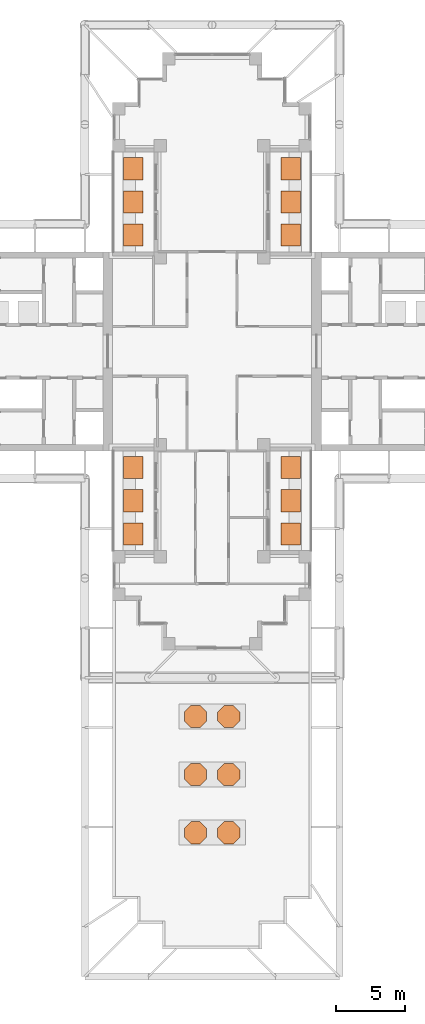
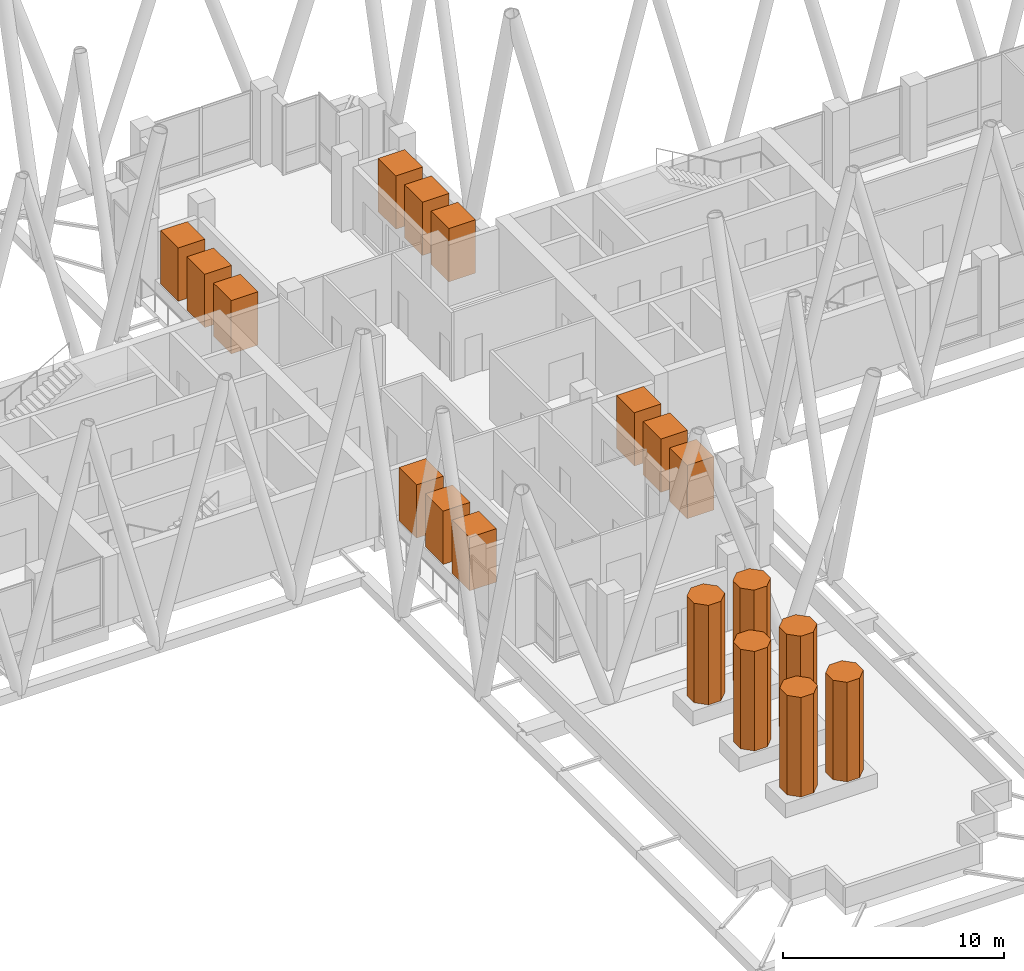
# One storey, part 22 of 22: 18 geographic elements.
"""IFC4 building model written with IfcOpenShell, lengths in metres."""

from ifc_helpers import new_model, si_unit, direction, frame, origin, origin_2d, place, context, subcontext, project, spatial, polyline, rectangle, outline, extrude, material, element, save


model = new_model("IFC4")

# Units and contexts
model_context = context("Model", 3, precision=1e-05, world=origin(), true_north=direction((0.0, 1.0)))
body_context = subcontext(model_context, "Body", "Model", "MODEL_VIEW")
ifc_project = project(units=[si_unit("LENGTHUNIT", "METRE"), si_unit("AREAUNIT", "SQUARE_METRE"), si_unit("VOLUMEUNIT", "CUBIC_METRE"), si_unit("PLANEANGLEUNIT", "RADIAN"), si_unit("MASSUNIT", "GRAM", prefix="KILO")], contexts=[model_context])

# Site, building, storey
site_placement = place(None, origin())
site = spatial("IfcSite", under=ifc_project, at=site_placement, CompositionType="ELEMENT")
building_placement = place(site_placement, origin())
building = spatial("IfcBuilding", under=site, at=building_placement, Name="Fustian Cross Tower", CompositionType="ELEMENT")
storey_placement = place(building_placement, frame((0.0, 0.0, 116.10009765625)))
storey = spatial("IfcBuildingStorey", under=building, at=storey_placement, Name="L36", CompositionType="ELEMENT", Elevation=116.10009765625)

# Geographic elements
ifc_material = material(Name="Evergreen foliage")
for number, where, z_axis, x_axis, name in (
    (1, (5.68994140625, 8.39990234375, 0.7998046875), (0.0, 0.0, 1.0), (1.0, 0.0, 0.0), "TREE field maple"),
    (2, (5.68994140625, 10.800048828125, 0.7998046875), (0.0, 0.0, 1.0), (1.0, 0.0, 0.0), "TREE field maple"),
    (3, (5.68994140625, 13.199951171875, 0.7998046875), (0.0, 0.0, 1.0), (1.0, 0.0, 0.0), "TREE field maple"),
    (4, (-5.68994140625, 8.39990234375, 0.7998046875), (0.0, 0.0, 1.0), (1.0, 0.0, 0.0), "TREE field maple"),
    (5, (-5.68994140625, 10.800048828125, 0.7998046875), (0.0, 0.0, 1.0), (1.0, 0.0, 0.0), "TREE field maple"),
    (6, (-5.68994140625, 13.199951171875, 0.7998046875), (0.0, 0.0, 1.0), (1.0, 0.0, 0.0), "TREE field maple"),
    (7, (5.68994140625, -13.199951171875, 0.7998046875), (0.0, 0.0, 1.0), (1.0, 0.0, 0.0), "TREE field maple"),
    (8, (5.68994140625, -10.800048828125, 0.7998046875), (0.0, 0.0, 1.0), (1.0, 0.0, 0.0), "TREE field maple"),
    (9, (5.68994140625, -8.39990234375, 0.7998046875), (0.0, 0.0, 1.0), (1.0, 0.0, 0.0), "TREE field maple"),
    (10, (-5.68994140625, -13.199951171875, 0.7998046875), (0.0, 0.0, 1.0), (1.0, 0.0, 0.0), "TREE field maple"),
    (11, (-5.68994140625, -10.800048828125, 0.7998046875), (0.0, 0.0, 1.0), (1.0, 0.0, 0.0), "TREE field maple"),
    (12, (-5.68994140625, -8.39990234375, 0.7998046875), (0.0, 0.0, 1.0), (1.0, 0.0, 0.0), "TREE field maple"),
):
    element("IfcGeographicElement", number, at=place(storey_placement, frame(where, z_axis=z_axis, x_axis=x_axis)), inside=storey, material=ifc_material, Name=name, ObjectType="VEGETATION", PredefinedType="USERDEFINED", context=body_context, shape_type="SweptSolid", body=[
        extrude(rectangle(XDim=1.39990234375, YDim=1.60009765625, at=origin_2d()), origin(), (0.0, 0.0, 1.0), 2.949951171875),
    ])
geographic_element_1_placement = place(storey_placement, frame((0.0, 0.0, 0.7998046875)))
element("IfcGeographicElement", 13, at=geographic_element_1_placement, inside=storey, material=ifc_material, Name="TREE L3611", ObjectType="VEGETATION", PredefinedType="USERDEFINED", context=body_context, shape_type="SweptSolid", body=[
    extrude(outline(polyline([(-0.39990234375, -34.46875), (-0.86865234375, -34.0), (-1.53125, -34.0), (-2.0, -34.46875), (-2.0, -35.13134765625), (-1.53125, -35.60009765625), (-0.86865234375, -35.60009765625), (-0.39990234375, -35.13134765625), (-0.39990234375, -34.46875)])), origin(), (0.0, 0.0, 1.0), 5.5),
])
geographic_element_2_placement = place(storey_placement, frame((0.0, 0.0, 0.7998046875)))
element("IfcGeographicElement", 14, at=geographic_element_2_placement, inside=storey, material=ifc_material, Name="TREE L3612", ObjectType="VEGETATION", PredefinedType="USERDEFINED", context=body_context, shape_type="SweptSolid", body=[
    extrude(outline(polyline([(2.0, -34.46875), (1.53125, -34.0), (0.86865234375, -34.0), (0.39990234375, -34.46875), (0.39990234375, -35.13134765625), (0.86865234375, -35.60009765625), (1.53125, -35.60009765625), (2.0, -35.13134765625), (2.0, -34.46875)])), origin(), (0.0, 0.0, 1.0), 5.5),
])
geographic_element_3_placement = place(storey_placement, frame((0.0, 0.0, 0.7998046875)))
element("IfcGeographicElement", 15, at=geographic_element_3_placement, inside=storey, material=ifc_material, Name="TREE L3613", ObjectType="VEGETATION", PredefinedType="USERDEFINED", context=body_context, shape_type="SweptSolid", body=[
    extrude(outline(polyline([(-0.39990234375, -30.2685546875), (-0.86865234375, -29.800048828125), (-1.53125, -29.800048828125), (-2.0, -30.2685546875), (-2.0, -30.931396484375), (-1.53125, -31.39990234375), (-0.86865234375, -31.39990234375), (-0.39990234375, -30.931396484375), (-0.39990234375, -30.2685546875)])), origin(), (0.0, 0.0, 1.0), 5.5),
])
geographic_element_4_placement = place(storey_placement, frame((0.0, 0.0, 0.7998046875)))
element("IfcGeographicElement", 16, at=geographic_element_4_placement, inside=storey, material=ifc_material, Name="TREE L3614", ObjectType="VEGETATION", PredefinedType="USERDEFINED", context=body_context, shape_type="SweptSolid", body=[
    extrude(outline(polyline([(2.0, -30.2685546875), (1.53125, -29.800048828125), (0.86865234375, -29.800048828125), (0.39990234375, -30.2685546875), (0.39990234375, -30.931396484375), (0.86865234375, -31.39990234375), (1.53125, -31.39990234375), (2.0, -30.931396484375), (2.0, -30.2685546875)])), origin(), (0.0, 0.0, 1.0), 5.5),
])
geographic_element_5_placement = place(storey_placement, frame((0.0, 0.0, 0.7998046875)))
element("IfcGeographicElement", 17, at=geographic_element_5_placement, inside=storey, material=ifc_material, Name="TREE L3615", ObjectType="VEGETATION", PredefinedType="USERDEFINED", context=body_context, shape_type="SweptSolid", body=[
    extrude(outline(polyline([(-0.39990234375, -26.068603515625), (-0.86865234375, -25.60009765625), (-1.53125, -25.60009765625), (-2.0, -26.068603515625), (-2.0, -26.7314453125), (-1.53125, -27.199951171875), (-0.86865234375, -27.199951171875), (-0.39990234375, -26.7314453125), (-0.39990234375, -26.068603515625)])), origin(), (0.0, 0.0, 1.0), 5.5),
])
geographic_element_6_placement = place(storey_placement, frame((0.0, 0.0, 0.7998046875)))
element("IfcGeographicElement", 18, at=geographic_element_6_placement, inside=storey, material=ifc_material, Name="TREE L3616", ObjectType="VEGETATION", PredefinedType="USERDEFINED", context=body_context, shape_type="SweptSolid", body=[
    extrude(outline(polyline([(2.0, -26.068603515625), (1.53125, -25.60009765625), (0.86865234375, -25.60009765625), (0.39990234375, -26.068603515625), (0.39990234375, -26.7314453125), (0.86865234375, -27.199951171875), (1.53125, -27.199951171875), (2.0, -26.7314453125), (2.0, -26.068603515625)])), origin(), (0.0, 0.0, 1.0), 5.5),
])

save(model, "model.ifc")
